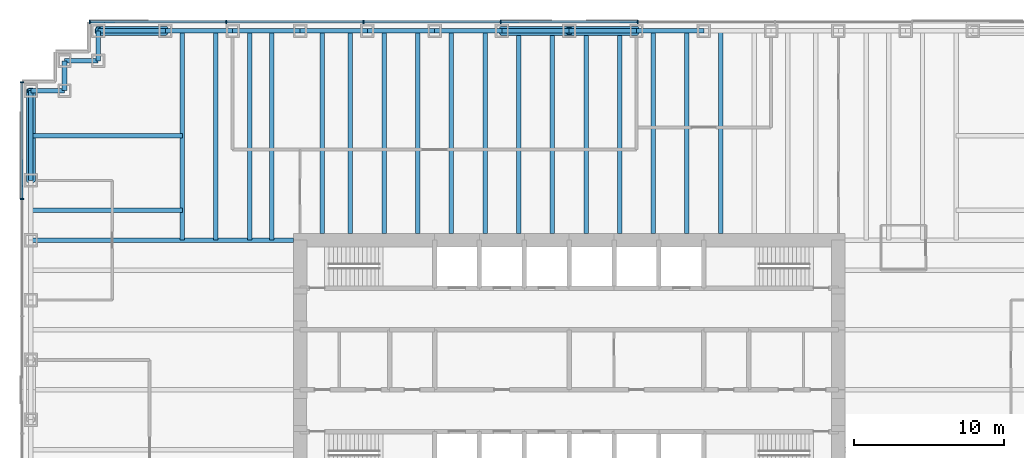
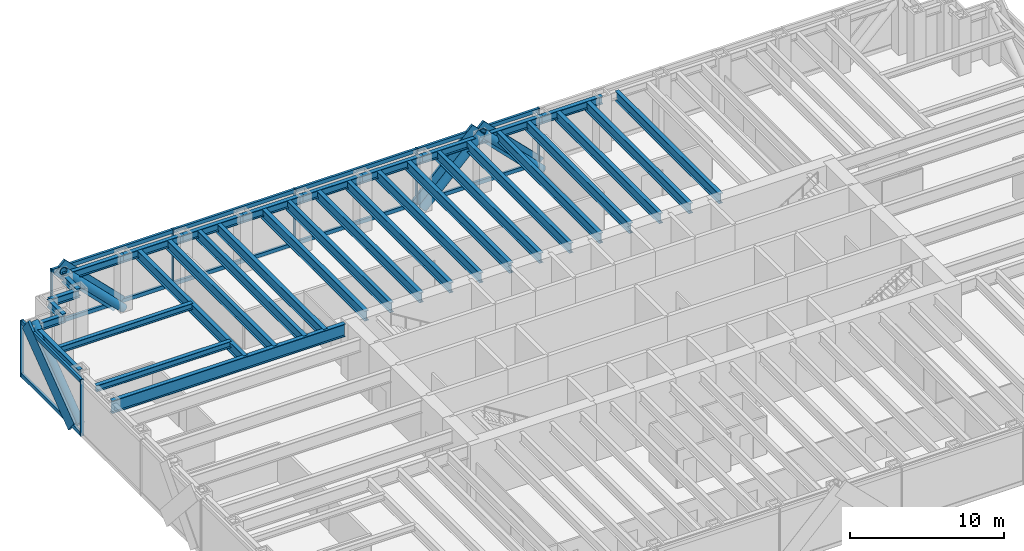
# One storey, part 5 of 13: 34 beams, 25 members, 2 elements without a shape of their own.
"""IFC4 building model written with IfcOpenShell, lengths in metres."""

from ifc_helpers import new_model, si_unit, direction, frame, origin, origin_2d, place, context, subcontext, project, spatial, rectangle, hollow_circle, i_section, extrude, material, material_profile, profile_set, type_object, element, aggregate, save


model = new_model("IFC4")

# Units and contexts
model_context = context("Model", 3, precision=1e-05, world=origin(), true_north=direction((0.0, 1.0)))
body_context = subcontext(model_context, "Body", "Model", "MODEL_VIEW")
ifc_project = project(units=[si_unit("LENGTHUNIT", "METRE"), si_unit("AREAUNIT", "SQUARE_METRE"), si_unit("VOLUMEUNIT", "CUBIC_METRE"), si_unit("PLANEANGLEUNIT", "RADIAN"), si_unit("MASSUNIT", "GRAM", prefix="KILO")], contexts=[model_context])

# Site, building, storey
site_placement = place(None, origin())
site = spatial("IfcSite", under=ifc_project, at=site_placement, CompositionType="ELEMENT")
building_placement = place(site_placement, origin())
building = spatial("IfcBuilding", under=site, at=building_placement, Name="Rheinbord Bourse Tower", CompositionType="ELEMENT")
storey_placement = place(building_placement, frame((0.0, 0.0, 59.0)))
storey = spatial("IfcBuildingStorey", under=building, at=storey_placement, Name="L12", CompositionType="ELEMENT", Elevation=59.0)

# Curtain wall, members
ifc_material_1 = material(Name="Dark glass and black aluminium", Category="aluminium")
curtain_wall_type = type_object("IfcCurtainWallType", Name="CW1 DARK GLASS CURTAIN WALL", PredefinedType="USERDEFINED", material=ifc_material_1)
curtain_wall_1_placement = place(storey_placement, origin())
curtain_wall_1 = element("IfcCurtainWall", 1, at=curtain_wall_1_placement, inside=storey, type_object=curtain_wall_type, Name="Curtain wall CW1 N L12", ObjectType="UNITISED CURTAIN WALL", PredefinedType="USERDEFINED")
ifc_material_2 = material(Name="Black anodised aluminium", Category="aluminium")
ifc_material_profile_1 = material_profile(ifc_material_2, rectangle(XDim=0.179931640625, YDim=1.2099609375, at=origin_2d()), Name="CW1 DIAGONAL MULLION 1210x180")
ifc_profile_set_1 = profile_set([ifc_material_profile_1], Name="Black anodised aluminium")
member_type_1 = type_object("IfcMemberType", Name="CW1 BLACK DIAGONAL MULLION", PredefinedType="USERDEFINED", material=ifc_profile_set_1)
member_1_placement = place(storey_placement, frame((9.0, 46.60009765625, 0.0), z_axis=(-0.707106781187, 0.0, 0.707106781187), x_axis=(0.0, -1.0, 0.0)))
member_1 = element("IfcMember", 2, at=member_1_placement, type_object=member_type_1, Name="CW1 diagonal mullion b", ObjectType="DIAGONAL MULLION", PredefinedType="USERDEFINED", context=body_context, shape_type="SweptSolid", body=[
    extrude(rectangle(XDim=0.179931640625, YDim=1.2099609375, at=origin_2d()), origin(), (0.0, 0.0, 1.0), 6.364013671875),
])
member_2_placement = place(storey_placement, frame((40.5, 46.60009765625, 0.0), z_axis=(-0.707106781187, 0.0, 0.707106781187), x_axis=(0.0, -1.0, 0.0)))
member_2 = element("IfcMember", 3, at=member_2_placement, type_object=member_type_1, Name="CW1 diagonal mullion c", ObjectType="DIAGONAL MULLION", PredefinedType="USERDEFINED", context=body_context, shape_type="SweptSolid", body=[
    extrude(rectangle(XDim=0.179931640625, YDim=1.2099609375, at=origin_2d()), origin(), (0.0, 0.0, 1.0), 6.364013671875),
])
member_3_placement = place(storey_placement, frame((31.5, 46.60009765625, 0.0), z_axis=(0.707106781187, 0.0, 0.707106781187), x_axis=(0.0, 1.0, 0.0)))
member_3 = element("IfcMember", 4, at=member_3_placement, type_object=member_type_1, Name="CW1 diagonal mullion d", ObjectType="DIAGONAL MULLION", PredefinedType="USERDEFINED", context=body_context, shape_type="SweptSolid", body=[
    extrude(rectangle(XDim=0.179931640625, YDim=1.2099609375, at=origin_2d()), origin(), (0.0, 0.0, 1.0), 6.364013671875),
])

# Curtain wall, member
curtain_wall_2_placement = place(storey_placement, origin())
curtain_wall_2 = element("IfcCurtainWall", 5, at=curtain_wall_2_placement, inside=storey, type_object=curtain_wall_type, Name="Curtain wall CW1 W L12", ObjectType="UNITISED CURTAIN WALL", PredefinedType="USERDEFINED")
member_4_placement = place(storey_placement, frame((-0.60009765625, 36.0, 0.0), z_axis=(0.0, 0.8, 0.6), x_axis=(-1.0, 0.0, 0.0)))
member_4 = element("IfcMember", 6, at=member_4_placement, type_object=member_type_1, Name="CW1 diagonal mullion d", ObjectType="DIAGONAL MULLION", PredefinedType="USERDEFINED", context=body_context, shape_type="SweptSolid", body=[
    extrude(rectangle(XDim=0.179931640625, YDim=1.2099609375, at=origin_2d()), origin(), (0.0, 0.0, 1.0), 7.5),
])

# Member
ifc_material_3 = material(Name="Black anodised aluminium", Category="aluminium")
ifc_material_profile_2 = material_profile(ifc_material_3, rectangle(XDim=0.25, YDim=0.080078125, at=origin_2d()), Name="CW1 MULLION 80x250")
ifc_profile_set_2 = profile_set([ifc_material_profile_2], Name="Black anodised aluminium")
member_type_2 = type_object("IfcMemberType", Name="CW1 BLACK MULLION", PredefinedType="MULLION", material=ifc_profile_set_2)
member_5_placement = place(storey_placement, frame((40.585693359375, 46.60009765625, 0.0), z_axis=(0.0, 0.0, 1.0), x_axis=(0.0, -1.0, 0.0)))
member_5 = element("IfcMember", 7, at=member_5_placement, type_object=member_type_2, Name="CW1 mullion 4", PredefinedType="MULLION", context=body_context, shape_type="SweptSolid", body=[
    extrude(rectangle(XDim=0.25, YDim=0.080078125, at=origin_2d()), origin(), (0.0, 0.0, 1.0), 4.5),
])

member_6_placement = place(storey_placement, frame((31.414306640625, 46.60009765625, 0.0), z_axis=(0.0, 0.0, 1.0), x_axis=(0.0, -1.0, 0.0)))
member_6 = element("IfcMember", 8, at=member_6_placement, type_object=member_type_2, Name="CW1 mullion 5", PredefinedType="MULLION", context=body_context, shape_type="SweptSolid", body=[
    extrude(rectangle(XDim=0.25, YDim=0.080078125, at=origin_2d()), origin(), (0.0, 0.0, 1.0), 4.5),
])

member_7_placement = place(storey_placement, frame((22.242919921875, 46.60009765625, 0.0), z_axis=(0.0, 0.0, 1.0), x_axis=(0.0, -1.0, 0.0)))
member_7 = element("IfcMember", 9, at=member_7_placement, type_object=member_type_2, Name="CW1 mullion 6", PredefinedType="MULLION", context=body_context, shape_type="SweptSolid", body=[
    extrude(rectangle(XDim=0.25, YDim=0.080078125, at=origin_2d()), origin(), (0.0, 0.0, 1.0), 4.5),
])

member_8_placement = place(storey_placement, frame((13.071533203125, 46.60009765625, 0.0), z_axis=(0.0, 0.0, 1.0), x_axis=(0.0, -1.0, 0.0)))
member_8 = element("IfcMember", 10, at=member_8_placement, type_object=member_type_2, Name="CW1 mullion 7", PredefinedType="MULLION", context=body_context, shape_type="SweptSolid", body=[
    extrude(rectangle(XDim=0.25, YDim=0.080078125, at=origin_2d()), origin(), (0.0, 0.0, 1.0), 4.5),
])

member_9_placement = place(storey_placement, frame((3.93994140625, 46.60009765625, 0.0), z_axis=(0.0, 0.0, 1.0), x_axis=(0.0, -1.0, 0.0)))
member_9 = element("IfcMember", 11, at=member_9_placement, type_object=member_type_2, Name="CW1 mullion 8", PredefinedType="MULLION", context=body_context, shape_type="SweptSolid", body=[
    extrude(rectangle(XDim=0.25, YDim=0.080078125, at=origin_2d()), origin(), (0.0, 0.0, 1.0), 4.5),
])

member_10_placement = place(storey_placement, frame((-0.60009765625, 42.56005859375, 0.0), z_axis=(0.0, 0.0, 1.0), x_axis=(1.0, 0.0, 0.0)))
member_10 = element("IfcMember", 12, at=member_10_placement, type_object=member_type_2, Name="CW1 mullion 1", PredefinedType="MULLION", context=body_context, shape_type="SweptSolid", body=[
    extrude(rectangle(XDim=0.25, YDim=0.080078125, at=origin_2d()), origin(), (0.0, 0.0, 1.0), 4.5),
])

member_11_placement = place(storey_placement, frame((-0.60009765625, 34.760009765625, 0.0), z_axis=(0.0, 0.0, 1.0), x_axis=(1.0, 0.0, 0.0)))
member_11 = element("IfcMember", 13, at=member_11_placement, type_object=member_type_2, Name="CW1 mullion 2", PredefinedType="MULLION", context=body_context, shape_type="SweptSolid", body=[
    extrude(rectangle(XDim=0.25, YDim=0.080078125, at=origin_2d()), origin(), (0.0, 0.0, 1.0), 4.5),
])

ifc_material_4 = material(Name="Black anodised aluminium", Category="aluminium")
ifc_material_profile_3 = material_profile(ifc_material_4, rectangle(XDim=0.179931640625, YDim=0.300048828125, at=origin_2d()), Name="CW1 TRANSOM 300x180")
ifc_profile_set_3 = profile_set([ifc_material_profile_3], Name="Black anodised aluminium")
member_type_3 = type_object("IfcMemberType", Name="CW1 BLACK TRANSOM", PredefinedType="USERDEFINED", material=ifc_profile_set_3)
member_12_placement = place(storey_placement, frame((40.545654296875, 46.60009765625, 0.14990234375), z_axis=(-1.0, 0.0, 0.0), x_axis=(0.0, -1.0, 0.0)))
member_12 = element("IfcMember", 14, at=member_12_placement, type_object=member_type_3, Name="CW1 transom 4.1", ObjectType="TRANSOM", PredefinedType="USERDEFINED", context=body_context, shape_type="SweptSolid", body=[
    extrude(rectangle(XDim=0.179931640625, YDim=0.300048828125, at=origin_2d()), origin(), (0.0, 0.0, 1.0), 9.09130859375),
])

member_13_placement = place(storey_placement, frame((40.545654296875, 46.60009765625, 4.35009765625), z_axis=(-1.0, 0.0, 0.0), x_axis=(0.0, -1.0, 0.0)))
member_13 = element("IfcMember", 15, at=member_13_placement, type_object=member_type_3, Name="CW1 transom 4.2", ObjectType="TRANSOM", PredefinedType="USERDEFINED", context=body_context, shape_type="SweptSolid", body=[
    extrude(rectangle(XDim=0.179931640625, YDim=0.300048828125, at=origin_2d()), origin(), (0.0, 0.0, 1.0), 9.09130859375),
])

member_14_placement = place(storey_placement, frame((31.374267578125, 46.60009765625, 0.14990234375), z_axis=(-1.0, 0.0, 0.0), x_axis=(0.0, -1.0, 0.0)))
member_14 = element("IfcMember", 16, at=member_14_placement, type_object=member_type_3, Name="CW1 transom 5.1", ObjectType="TRANSOM", PredefinedType="USERDEFINED", context=body_context, shape_type="SweptSolid", body=[
    extrude(rectangle(XDim=0.179931640625, YDim=0.300048828125, at=origin_2d()), origin(), (0.0, 0.0, 1.0), 9.09130859375),
])

member_15_placement = place(storey_placement, frame((31.374267578125, 46.60009765625, 4.35009765625), z_axis=(-1.0, 0.0, 0.0), x_axis=(0.0, -1.0, 0.0)))
member_15 = element("IfcMember", 17, at=member_15_placement, type_object=member_type_3, Name="CW1 transom 5.2", ObjectType="TRANSOM", PredefinedType="USERDEFINED", context=body_context, shape_type="SweptSolid", body=[
    extrude(rectangle(XDim=0.179931640625, YDim=0.300048828125, at=origin_2d()), origin(), (0.0, 0.0, 1.0), 9.09130859375),
])

member_16_placement = place(storey_placement, frame((22.202880859375, 46.60009765625, 0.14990234375), z_axis=(-1.0, 0.0, 0.0), x_axis=(0.0, -1.0, 0.0)))
member_16 = element("IfcMember", 18, at=member_16_placement, type_object=member_type_3, Name="CW1 transom 6.1", ObjectType="TRANSOM", PredefinedType="USERDEFINED", context=body_context, shape_type="SweptSolid", body=[
    extrude(rectangle(XDim=0.179931640625, YDim=0.300048828125, at=origin_2d()), origin(), (0.0, 0.0, 1.0), 9.091552734375),
])

member_17_placement = place(storey_placement, frame((22.202880859375, 46.60009765625, 4.35009765625), z_axis=(-1.0, 0.0, 0.0), x_axis=(0.0, -1.0, 0.0)))
member_17 = element("IfcMember", 19, at=member_17_placement, type_object=member_type_3, Name="CW1 transom 6.2", ObjectType="TRANSOM", PredefinedType="USERDEFINED", context=body_context, shape_type="SweptSolid", body=[
    extrude(rectangle(XDim=0.179931640625, YDim=0.300048828125, at=origin_2d()), origin(), (0.0, 0.0, 1.0), 9.091552734375),
])

member_18_placement = place(storey_placement, frame((13.031494140625, 46.60009765625, 0.14990234375), z_axis=(-1.0, 0.0, 0.0), x_axis=(0.0, -1.0, 0.0)))
member_18 = element("IfcMember", 20, at=member_18_placement, type_object=member_type_3, Name="CW1 transom 7.1", ObjectType="TRANSOM", PredefinedType="USERDEFINED", context=body_context, shape_type="SweptSolid", body=[
    extrude(rectangle(XDim=0.179931640625, YDim=0.300048828125, at=origin_2d()), origin(), (0.0, 0.0, 1.0), 9.051513671875),
])

member_19_placement = place(storey_placement, frame((13.031494140625, 46.60009765625, 4.35009765625), z_axis=(-1.0, 0.0, 0.0), x_axis=(0.0, -1.0, 0.0)))
member_19 = element("IfcMember", 21, at=member_19_placement, type_object=member_type_3, Name="CW1 transom 7.2", ObjectType="TRANSOM", PredefinedType="USERDEFINED", context=body_context, shape_type="SweptSolid", body=[
    extrude(rectangle(XDim=0.179931640625, YDim=0.300048828125, at=origin_2d()), origin(), (0.0, 0.0, 1.0), 9.051513671875),
])

aggregate(curtain_wall_1, [member_5, member_6, member_7, member_8, member_9, member_12, member_13, member_14, member_15, member_16, member_17, member_18, member_19, member_1, member_2, member_3])

member_20_placement = place(storey_placement, frame((-0.60009765625, 42.52001953125, 0.14990234375), z_axis=(0.0, -1.0, 0.0), x_axis=(1.0, 0.0, 0.0)))
member_20 = element("IfcMember", 22, at=member_20_placement, type_object=member_type_3, Name="CW1 transom 1.1", ObjectType="TRANSOM", PredefinedType="USERDEFINED", context=body_context, shape_type="SweptSolid", body=[
    extrude(rectangle(XDim=0.179931640625, YDim=0.300048828125, at=origin_2d()), origin(), (0.0, 0.0, 1.0), 7.719970703125),
])

member_21_placement = place(storey_placement, frame((-0.60009765625, 42.52001953125, 4.35009765625), z_axis=(0.0, -1.0, 0.0), x_axis=(1.0, 0.0, 0.0)))
member_21 = element("IfcMember", 23, at=member_21_placement, type_object=member_type_3, Name="CW1 transom 1.2", ObjectType="TRANSOM", PredefinedType="USERDEFINED", context=body_context, shape_type="SweptSolid", body=[
    extrude(rectangle(XDim=0.179931640625, YDim=0.300048828125, at=origin_2d()), origin(), (0.0, 0.0, 1.0), 7.719970703125),
])

aggregate(curtain_wall_2, [member_10, member_11, member_20, member_21, member_4])

# Beams
ifc_material_5 = material(Name="Steel S460", Category="steel")
ifc_material_profile_4 = material_profile(ifc_material_5, i_section(OverallWidth=0.300048828125, OverallDepth=0.800048828125, WebThickness=0.017578125, FlangeThickness=0.032958984375, at=origin_2d()), Name="HEB 800")
ifc_profile_set_4 = profile_set([ifc_material_profile_4], Name="Steel S460")
beam_type_1 = type_object("IfcBeamType", Name="FLOOR BEAM HEB 800", PredefinedType="BEAM", material=ifc_profile_set_4)
for number, where, z_axis, x_axis, name in (
    (24, (10.125, 46.0, 3.919921875), (0.0, -1.0, 0.0), (1.0, 0.0, 0.0), "Floor beam N-9a L13"),
    (25, (12.375, 46.0, 3.919921875), (0.0, -1.0, 0.0), (1.0, 0.0, 0.0), "Floor beam N-9b L13"),
    (26, (14.625, 46.0, 3.919921875), (0.0, -1.0, 0.0), (1.0, 0.0, 0.0), "Floor beam N-13.5a L13"),
    (27, (16.125, 46.0, 3.919921875), (0.0, -1.0, 0.0), (1.0, 0.0, 0.0), "Floor beam N-13.5b L13"),
):
    element("IfcBeam", number, at=place(storey_placement, frame(where, z_axis=z_axis, x_axis=x_axis)), inside=storey, type_object=beam_type_1, Name=name, PredefinedType="BEAM", context=body_context, shape_type="SweptSolid", body=[
        extrude(i_section(OverallWidth=0.300048828125, OverallDepth=0.800048828125, WebThickness=0.017578125, FlangeThickness=0.032958984375, at=origin_2d()), origin(), (0.0, 0.0, 1.0), 14.0),
    ])
for number, where, z_axis, x_axis, name in (
    (28, (19.5, 46.0, 3.919921875), (0.0, -1.0, 0.0), (1.0, 0.0, 0.0), "Floor beam N-18a L13"),
    (29, (21.375, 46.0, 3.919921875), (0.0, -1.0, 0.0), (1.0, 0.0, 0.0), "Floor beam N-18b L13"),
    (30, (23.625, 46.0, 3.919921875), (0.0, -1.0, 0.0), (1.0, 0.0, 0.0), "Floor beam N-22.5a L13"),
    (31, (25.875, 46.0, 3.919921875), (0.0, -1.0, 0.0), (1.0, 0.0, 0.0), "Floor beam N-22.5b L13"),
    (32, (28.125, 46.0, 3.919921875), (0.0, -1.0, 0.0), (1.0, 0.0, 0.0), "Floor beam N-27a L13"),
    (33, (30.375, 46.0, 3.919921875), (0.0, -1.0, 0.0), (1.0, 0.0, 0.0), "Floor beam N-27b L13"),
    (34, (32.625, 46.0, 3.919921875), (0.0, -1.0, 0.0), (1.0, 0.0, 0.0), "Floor beam N-31.5a L13"),
    (35, (34.875, 46.0, 3.919921875), (0.0, -1.0, 0.0), (1.0, 0.0, 0.0), "Floor beam N-31.5b L13"),
    (36, (37.125, 46.0, 3.919921875), (0.0, -1.0, 0.0), (1.0, 0.0, 0.0), "Floor beam N-36a L13"),
    (37, (39.375, 46.0, 3.919921875), (0.0, -1.0, 0.0), (1.0, 0.0, 0.0), "Floor beam N-36b L13"),
    (38, (41.625, 46.0, 3.919921875), (0.0, -1.0, 0.0), (1.0, 0.0, 0.0), "Floor beam N-40.5a L13"),
    (39, (43.875, 46.0, 3.919921875), (0.0, -1.0, 0.0), (1.0, 0.0, 0.0), "Floor beam N-40.5b L13"),
    (40, (46.125, 46.0, 3.919921875), (0.0, -1.0, 0.0), (1.0, 0.0, 0.0), "Floor beam N-45a L13"),
):
    element("IfcBeam", number, at=place(storey_placement, frame(where, z_axis=z_axis, x_axis=x_axis)), inside=storey, type_object=beam_type_1, Name=name, PredefinedType="BEAM", context=body_context, shape_type="SweptSolid", body=[
        extrude(i_section(OverallWidth=0.300048828125, OverallDepth=0.800048828125, WebThickness=0.017578125, FlangeThickness=0.032958984375, at=origin_2d()), origin(), (0.0, 0.0, 1.0), 13.550048828125),
    ])
ifc_material_6 = material(Name="Steel S460", Category="steel")
ifc_material_profile_5 = material_profile(ifc_material_6, i_section(OverallWidth=0.302001953125, OverallDepth=1.008056640625, WebThickness=0.02099609375, FlangeThickness=0.0400390625, at=origin_2d()), Name="HEM 1000")
ifc_profile_set_5 = profile_set([ifc_material_profile_5], Name="Steel S460")
beam_type_2 = type_object("IfcBeamType", Name="GIRDER HEM 1000", PredefinedType="BEAM", material=ifc_profile_set_5)
beam_1_placement = place(storey_placement, frame((0.0, 32.0, 3.81591796875), z_axis=(1.0, 0.0, 0.0), x_axis=(0.0, 1.0, 0.0)))
element("IfcBeam", 41, at=beam_1_placement, inside=storey, type_object=beam_type_2, Name="Girder west 32 L13", PredefinedType="BEAM", context=body_context, shape_type="SweptSolid", body=[
    extrude(i_section(OverallWidth=0.302001953125, OverallDepth=1.008056640625, WebThickness=0.02099609375, FlangeThickness=0.0400390625, at=origin_2d()), origin(), (0.0, 0.0, 1.0), 17.550048828125),
])

# Members
ifc_material_7 = material(Name="Steel S460", Category="steel")
ifc_material_profile_6 = material_profile(ifc_material_7, hollow_circle(Radius=0.304931640625, WallThickness=0.050048828125, at=origin_2d()), Name="CHS 610x50")
ifc_profile_set_6 = profile_set([ifc_material_profile_6], Name="Steel S460")
member_type_4 = type_object("IfcMemberType", Name="MEGABRACE CHS 610x50", PredefinedType="BRACE", material=ifc_profile_set_6)
for number, where, z_axis, x_axis, name in (
    (42, (9.0, 46.0, 0.0), (-0.707106781187, 0.0, 0.707106781187), (0.0, -1.0, 0.0), "Megabrace N face line b L12"),
    (43, (40.5, 46.0, 0.0), (-0.707106781187, 0.0, 0.707106781187), (0.0, -1.0, 0.0), "Megabrace N face line c L12"),
    (44, (31.5, 46.0, 0.0), (0.707106781187, 0.0, 0.707106781187), (0.0, 1.0, 0.0), "Megabrace N face line d L12"),
):
    element("IfcMember", number, at=place(storey_placement, frame(where, z_axis=z_axis, x_axis=x_axis)), inside=storey, type_object=member_type_4, Name=name, PredefinedType="BRACE", context=body_context, shape_type="SweptSolid", body=[
        extrude(hollow_circle(Radius=0.304931640625, WallThickness=0.050048828125, at=origin_2d()), origin(), (0.0, 0.0, 1.0), 6.364013671875),
    ])
member_22_placement = place(storey_placement, frame((0.0, 36.0, 0.0), z_axis=(0.0, 0.8, 0.6), x_axis=(-1.0, 0.0, 0.0)))
element("IfcMember", 45, at=member_22_placement, inside=storey, type_object=member_type_4, Name="Megabrace W face line d L12", PredefinedType="BRACE", context=body_context, shape_type="SweptSolid", body=[
    extrude(hollow_circle(Radius=0.304931640625, WallThickness=0.050048828125, at=origin_2d()), origin(), (0.0, 0.0, 1.0), 7.5),
])

# Beams
ifc_material_8 = material(Name="Steel S460", Category="steel")
ifc_material_profile_7 = material_profile(ifc_material_8, i_section(OverallWidth=0.304931640625, OverallDepth=0.6201171875, WebThickness=0.02099609375, FlangeThickness=0.0400390625, at=origin_2d()), Name="HEM 600")
ifc_profile_set_7 = profile_set([ifc_material_profile_7], Name="Steel S460")
beam_type_3 = type_object("IfcBeamType", Name="SPANDREL HEM 600", PredefinedType="SPANDREL", material=ifc_profile_set_7)
for number, where, z_axis, x_axis, name in (
    (46, (45.0, 46.0, 4.010009765625), (-1.0, 0.0, 0.0), (0.0, -1.0, 0.0), "Spandrel N-45-N-40.5 under L13"),
    (47, (40.5, 46.0, 4.010009765625), (-1.0, 0.0, 0.0), (0.0, -1.0, 0.0), "Spandrel N-40.5-N-36 under L13"),
    (48, (36.0, 46.0, 4.010009765625), (-1.0, 0.0, 0.0), (0.0, -1.0, 0.0), "Spandrel N-36-N-31.5 under L13"),
    (49, (31.5, 46.0, 4.010009765625), (-1.0, 0.0, 0.0), (0.0, -1.0, 0.0), "Spandrel N-31.5-N-27 under L13"),
    (50, (27.0, 46.0, 4.010009765625), (-1.0, 0.0, 0.0), (0.0, -1.0, 0.0), "Spandrel N-27-N-22.5 under L13"),
    (51, (22.5, 46.0, 4.010009765625), (-1.0, 0.0, 0.0), (0.0, -1.0, 0.0), "Spandrel N-22.5-N-18 under L13"),
    (52, (18.0, 46.0, 4.010009765625), (-1.0, 0.0, 0.0), (0.0, -1.0, 0.0), "Spandrel N-18-N-13.5 under L13"),
    (53, (13.5, 46.0, 4.010009765625), (-1.0, 0.0, 0.0), (0.0, -1.0, 0.0), "Spandrel N-13.5-N-9 under L13"),
    (54, (9.0, 46.0, 4.010009765625), (-1.0, 0.0, 0.0), (0.0, -1.0, 0.0), "Spandrel N-9-NW-E under L13"),
):
    element("IfcBeam", number, at=place(storey_placement, frame(where, z_axis=z_axis, x_axis=x_axis)), inside=storey, type_object=beam_type_3, Name=name, PredefinedType="SPANDREL", context=body_context, shape_type="SweptSolid", body=[
        extrude(i_section(OverallWidth=0.304931640625, OverallDepth=0.6201171875, WebThickness=0.02099609375, FlangeThickness=0.0400390625, at=origin_2d()), origin(), (0.0, 0.0, 1.0), 4.5),
    ])
beam_2_placement = place(storey_placement, frame((4.5, 46.0, 4.010009765625), z_axis=(0.0, -1.0, 0.0), x_axis=(1.0, 0.0, 0.0)))
element("IfcBeam", 55, at=beam_2_placement, inside=storey, type_object=beam_type_3, Name="Spandrel NW-E-NW-D under L13", PredefinedType="SPANDREL", context=body_context, shape_type="SweptSolid", body=[
    extrude(i_section(OverallWidth=0.304931640625, OverallDepth=0.6201171875, WebThickness=0.02099609375, FlangeThickness=0.0400390625, at=origin_2d()), origin(), (0.0, 0.0, 1.0), 2.0),
])
beam_3_placement = place(storey_placement, frame((4.5, 44.0, 4.010009765625), z_axis=(-1.0, 0.0, 0.0), x_axis=(0.0, -1.0, 0.0)))
element("IfcBeam", 56, at=beam_3_placement, inside=storey, type_object=beam_type_3, Name="Spandrel NW-D-NW-C under L13", PredefinedType="SPANDREL", context=body_context, shape_type="SweptSolid", body=[
    extrude(i_section(OverallWidth=0.304931640625, OverallDepth=0.6201171875, WebThickness=0.02099609375, FlangeThickness=0.0400390625, at=origin_2d()), origin(), (0.0, 0.0, 1.0), 2.25),
])
beam_4_placement = place(storey_placement, frame((2.25, 44.0, 4.010009765625), z_axis=(0.0, -1.0, 0.0), x_axis=(1.0, 0.0, 0.0)))
element("IfcBeam", 57, at=beam_4_placement, inside=storey, type_object=beam_type_3, Name="Spandrel NW-C-NW-B under L13", PredefinedType="SPANDREL", context=body_context, shape_type="SweptSolid", body=[
    extrude(i_section(OverallWidth=0.304931640625, OverallDepth=0.6201171875, WebThickness=0.02099609375, FlangeThickness=0.0400390625, at=origin_2d()), origin(), (0.0, 0.0, 1.0), 2.0),
])
beam_5_placement = place(storey_placement, frame((2.25, 42.0, 4.010009765625), z_axis=(-1.0, 0.0, 0.0), x_axis=(0.0, -1.0, 0.0)))
element("IfcBeam", 58, at=beam_5_placement, inside=storey, type_object=beam_type_3, Name="Spandrel NW-B-NW-A under L13", PredefinedType="SPANDREL", context=body_context, shape_type="SweptSolid", body=[
    extrude(i_section(OverallWidth=0.304931640625, OverallDepth=0.6201171875, WebThickness=0.02099609375, FlangeThickness=0.0400390625, at=origin_2d()), origin(), (0.0, 0.0, 1.0), 2.25),
])
beam_6_placement = place(storey_placement, frame((0.0, 42.0, 4.010009765625), z_axis=(0.0, -1.0, 0.0), x_axis=(1.0, 0.0, 0.0)))
element("IfcBeam", 59, at=beam_6_placement, inside=storey, type_object=beam_type_3, Name="Spandrel NW-A-W-36 under L13", PredefinedType="SPANDREL", context=body_context, shape_type="SweptSolid", body=[
    extrude(i_section(OverallWidth=0.304931640625, OverallDepth=0.6201171875, WebThickness=0.02099609375, FlangeThickness=0.0400390625, at=origin_2d()), origin(), (0.0, 0.0, 1.0), 6.0),
])
ifc_material_9 = material(Name="Steel S460", Category="steel")
ifc_material_profile_8 = material_profile(ifc_material_9, i_section(OverallWidth=0.300048828125, OverallDepth=0.5, WebThickness=0.014404296875, FlangeThickness=0.028076171875, at=origin_2d()), Name="HEB 500")
ifc_profile_set_8 = profile_set([ifc_material_profile_8], Name="Steel S460")
beam_type_4 = type_object("IfcBeamType", Name="TIE BEAM HEB 500", PredefinedType="JOIST", material=ifc_profile_set_8)
for number, where, z_axis, x_axis, name in (
    (60, (0.0, 34.0, 4.070068359375), (1.0, 0.0, 0.0), (0.0, 1.0, 0.0), "Tie west 34 L13"),
    (61, (0.0, 39.0, 4.070068359375), (1.0, 0.0, 0.0), (0.0, 1.0, 0.0), "Tie west 39 L13"),
):
    element("IfcBeam", number, at=place(storey_placement, frame(where, z_axis=z_axis, x_axis=x_axis)), inside=storey, type_object=beam_type_4, Name=name, PredefinedType="JOIST", context=body_context, shape_type="SweptSolid", body=[
        extrude(i_section(OverallWidth=0.300048828125, OverallDepth=0.5, WebThickness=0.014404296875, FlangeThickness=0.028076171875, at=origin_2d()), origin(), (0.0, 0.0, 1.0), 10.125),
    ])

save(model, "model.ifc")
